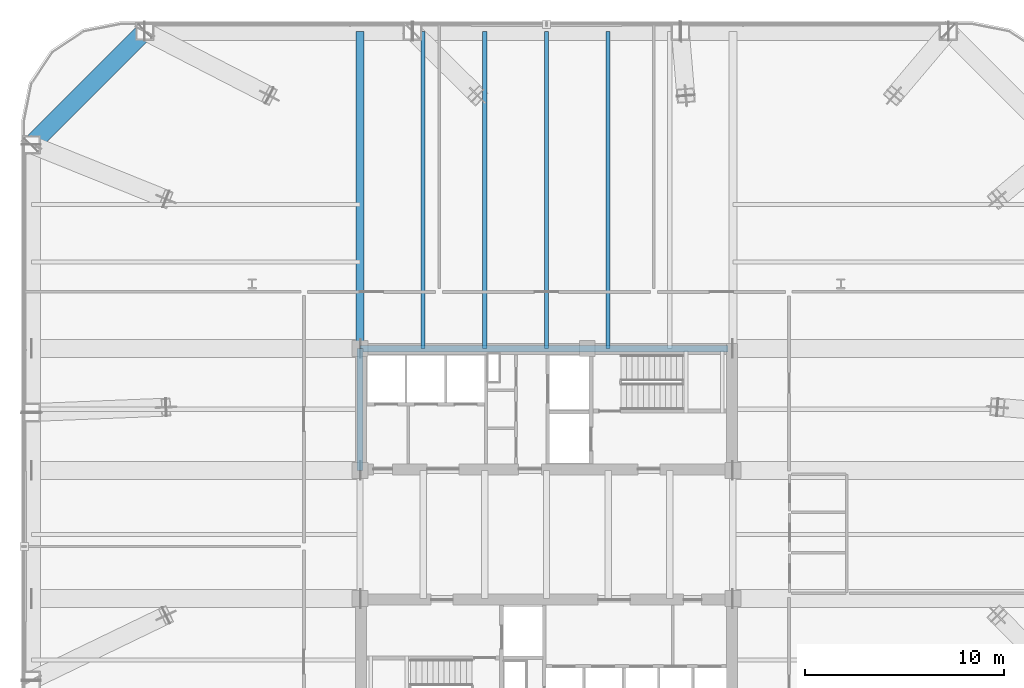
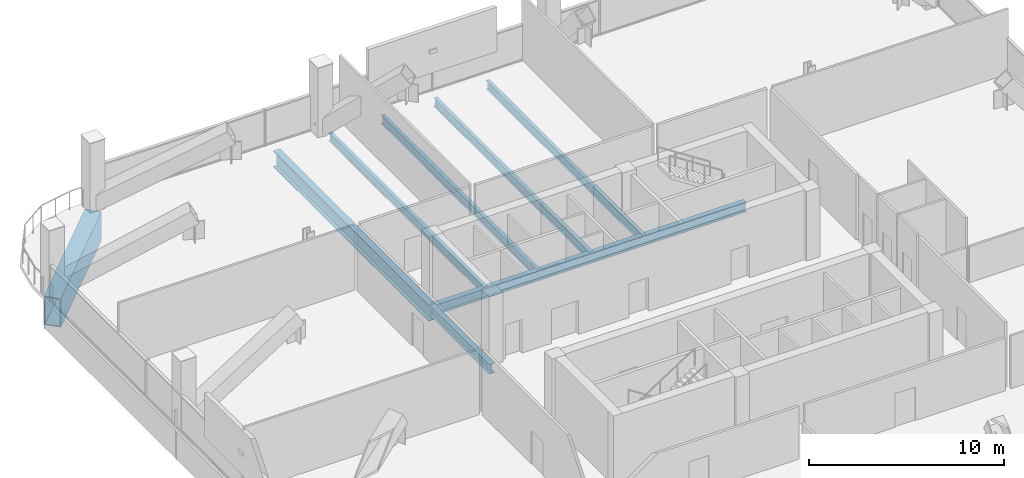
# One storey, part 19 of 38: 8 beams.
"""IFC4 building model written with IfcOpenShell, lengths in metres."""

from ifc_helpers import new_model, si_unit, direction, frame, origin, origin_2d, place, context, subcontext, project, spatial, hollow_rectangle, i_section, extrude, material, material_profile, profile_set, type_object, element, save


model = new_model("IFC4")

# Units and contexts
model_context = context("Model", 3, precision=1e-05, world=origin(), true_north=direction((0.0, 1.0)))
body_context = subcontext(model_context, "Body", "Model", "MODEL_VIEW")
ifc_project = project(units=[si_unit("LENGTHUNIT", "METRE"), si_unit("AREAUNIT", "SQUARE_METRE"), si_unit("VOLUMEUNIT", "CUBIC_METRE"), si_unit("PLANEANGLEUNIT", "RADIAN"), si_unit("MASSUNIT", "GRAM", prefix="KILO")], contexts=[model_context])

# Site, building, storey
site_placement = place(None, origin())
site = spatial("IfcSite", under=ifc_project, at=site_placement, CompositionType="ELEMENT")
building_placement = place(site_placement, origin())
building = spatial("IfcBuilding", under=site, at=building_placement, Name="Qhalaya Broadcast Tower", CompositionType="ELEMENT")
storey_placement = place(building_placement, frame((0.0, 0.0, 53.550048828125)))
storey = spatial("IfcBuildingStorey", under=building, at=storey_placement, Name="L15", CompositionType="ELEMENT", Elevation=53.550048828125)

# Beams
ifc_material_1 = material(Name="Structural Steel ASTM A572 Grade 50", Category="steel")
ifc_material_profile_1 = material_profile(ifc_material_1, hollow_rectangle(XDim=0.89990234375, YDim=1.800048828125, WallThickness=0.06005859375, at=origin_2d()), Name="BOX 900x1800x60")
ifc_profile_set_1 = profile_set([ifc_material_profile_1], Name="Structural Steel ASTM A572 Grade 50")
beam_type_1 = type_object("IfcBeamType", Name="Block Cantilever Transfer Box Girder TG1", PredefinedType="USERDEFINED", material=ifc_profile_set_1)
beam_1_placement = place(storey_placement, frame((-20.199951171875, 25.89990234375, -1.1201171875), z_axis=(-0.707106781187, -0.707106781187, 0.0), x_axis=(0.707106781187, -0.707106781187, 0.0)))
element("IfcBeam", 1, at=beam_1_placement, inside=storey, type_object=beam_type_1, Name="L15 TG1 L15-SPR-12", ObjectType="GIRDER", PredefinedType="USERDEFINED", context=body_context, shape_type="SweptSolid", body=[
    extrude(hollow_rectangle(XDim=0.89990234375, YDim=1.800048828125, WallThickness=0.06005859375, at=origin_2d()), origin(), (0.0, 0.0, 1.0), 8.06103515625),
])
ifc_material_2 = material(Name="Structural Steel ASTM A992 Grade 50", Category="steel")
ifc_material_profile_2 = material_profile(ifc_material_2, i_section(OverallWidth=0.2099609375, OverallDepth=0.535888671875, WebThickness=0.010986328125, FlangeThickness=0.017333984375, at=origin_2d()), Name="W21X68")
ifc_profile_set_2 = profile_set([ifc_material_profile_2], Name="Structural Steel ASTM A992 Grade 50")
beam_type_2 = type_object("IfcBeamType", Name="Composite Floor Joist J02", PredefinedType="JOIST", material=ifc_profile_set_2)
for number, where, z_axis, x_axis, name in (
    (2, (-6.199951171875, 9.949951171875, -0.488037109375), (0.0, 1.0, 0.0), (-1.0, 0.0, 0.0), "L15 J02 L15-JNN1-1"),
    (3, (-3.10009765625, 9.949951171875, -0.488037109375), (0.0, 1.0, 0.0), (-1.0, 0.0, 0.0), "L15 J02 L15-JNN2-1"),
    (4, (0.0, 9.949951171875, -0.488037109375), (0.0, 1.0, 0.0), (-1.0, 0.0, 0.0), "L15 J02 L15-JNN3-1"),
    (5, (3.10009765625, 9.949951171875, -0.488037109375), (0.0, 1.0, 0.0), (-1.0, 0.0, 0.0), "L15 J02 L15-JNN4-1"),
):
    element("IfcBeam", number, at=place(storey_placement, frame(where, z_axis=z_axis, x_axis=x_axis)), inside=storey, type_object=beam_type_2, Name=name, PredefinedType="JOIST", context=body_context, shape_type="SweptSolid", body=[
        extrude(i_section(OverallWidth=0.2099609375, OverallDepth=0.535888671875, WebThickness=0.010986328125, FlangeThickness=0.017333984375, at=origin_2d()), origin(), (0.0, 0.0, 1.0), 15.929931640625),
    ])
ifc_material_profile_3 = material_profile(ifc_material_2, i_section(OverallWidth=0.323974609375, OverallDepth=0.612060546875, WebThickness=0.0126953125, FlangeThickness=0.01904296875, at=origin_2d()), Name="W24X104")
ifc_profile_set_3 = profile_set([ifc_material_profile_3], Name="Structural Steel ASTM A992 Grade 50")
beam_type_3 = type_object("IfcBeamType", Name="Core Frame Tie Beam B04", PredefinedType="BEAM", material=ifc_profile_set_3)
beam_2_placement = place(storey_placement, frame((-9.375, 3.824951171875, -0.526123046875), z_axis=(0.0, 1.0, 0.0), x_axis=(-1.0, 0.0, 0.0)))
element("IfcBeam", 6, at=beam_2_placement, inside=storey, type_object=beam_type_3, Name="L15 B04 L15-CCN2", PredefinedType="BEAM", context=body_context, shape_type="SweptSolid", body=[
    extrude(i_section(OverallWidth=0.323974609375, OverallDepth=0.612060546875, WebThickness=0.0126953125, FlangeThickness=0.01904296875, at=origin_2d()), origin(), (0.0, 0.0, 1.0), 6.125),
])
beam_3_placement = place(storey_placement, frame((-9.375, 9.949951171875, -0.526123046875), z_axis=(1.0, 0.0, 0.0), x_axis=(0.0, 1.0, 0.0)))
element("IfcBeam", 7, at=beam_3_placement, inside=storey, type_object=beam_type_3, Name="L15 B04 L15-CCN3", PredefinedType="BEAM", context=body_context, shape_type="SweptSolid", body=[
    extrude(i_section(OverallWidth=0.323974609375, OverallDepth=0.612060546875, WebThickness=0.0126953125, FlangeThickness=0.01904296875, at=origin_2d()), origin(), (0.0, 0.0, 1.0), 18.4951171875),
])
ifc_material_profile_4 = material_profile(ifc_material_2, i_section(OverallWidth=0.40087890625, OverallDepth=1.010986328125, WebThickness=0.023681640625, FlangeThickness=0.0419921875, at=origin_2d()), Name="W40X297")
ifc_profile_set_4 = profile_set([ifc_material_profile_4], Name="Structural Steel ASTM A992 Grade 50")
beam_type_4 = type_object("IfcBeamType", Name="Lower Block Primary Girder PG2", PredefinedType="USERDEFINED", material=ifc_profile_set_4)
beam_4_placement = place(storey_placement, frame((-9.375, 9.949951171875, -0.7255859375), z_axis=(0.0, 1.0, 0.0), x_axis=(-1.0, 0.0, 0.0)))
element("IfcBeam", 8, at=beam_4_placement, inside=storey, type_object=beam_type_4, Name="L15 PG2 L15-PGXN1-1", ObjectType="GIRDER", PredefinedType="USERDEFINED", context=body_context, shape_type="SweptSolid", body=[
    extrude(i_section(OverallWidth=0.40087890625, OverallDepth=1.010986328125, WebThickness=0.023681640625, FlangeThickness=0.0419921875, at=origin_2d()), origin(), (0.0, 0.0, 1.0), 15.929931640625),
])

save(model, "model.ifc")
